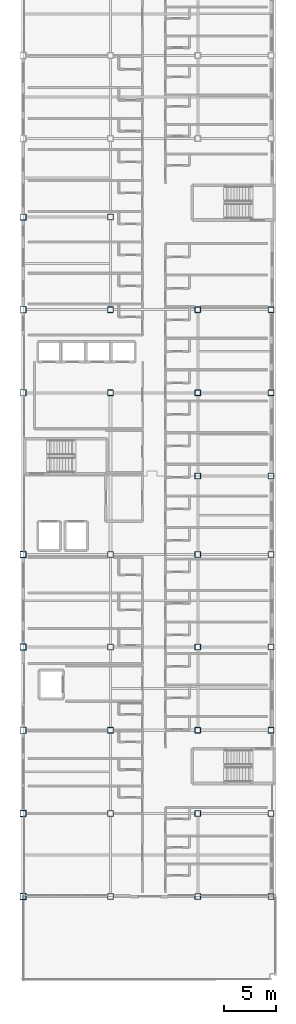
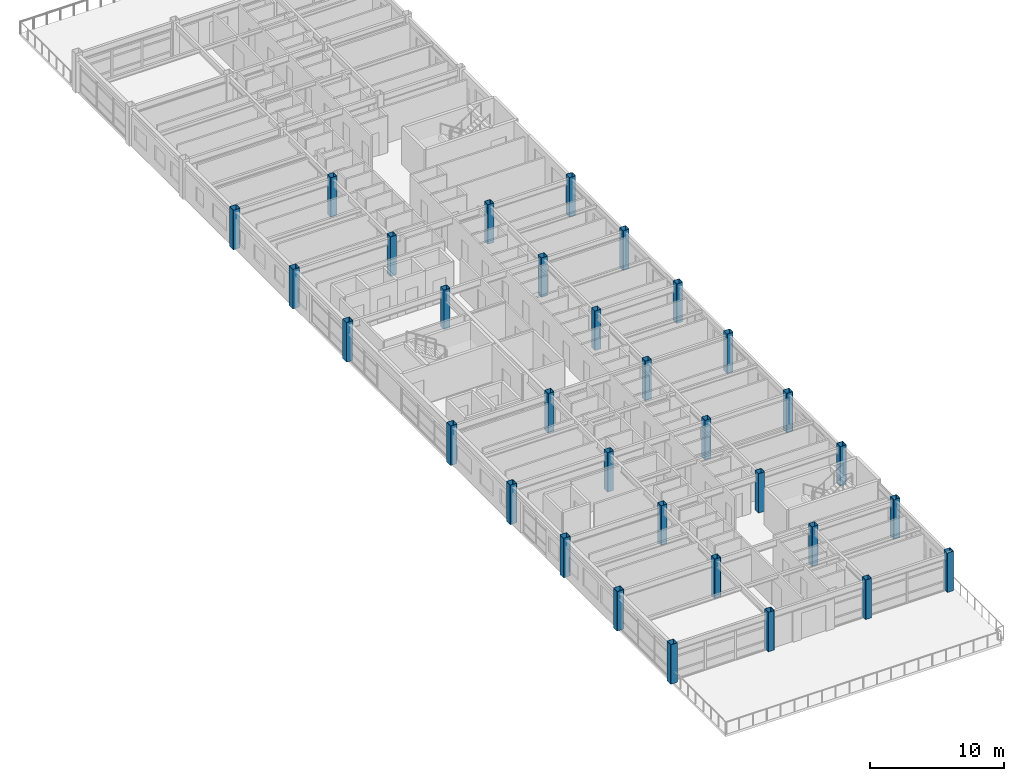
# One storey, part 1 of 36: 32 columns.
"""IFC4 building model written with IfcOpenShell, lengths in metres."""

from ifc_helpers import new_model, si_unit, direction, frame, origin, origin_2d, place, context, subcontext, project, spatial, hollow_rectangle, extrude, material, material_profile, profile_set, type_object, element, save


model = new_model("IFC4")

# Units and contexts
model_context = context("Model", 3, precision=1e-05, world=origin(), true_north=direction((0.0, 1.0)))
body_context = subcontext(model_context, "Body", "Model", "MODEL_VIEW")
ifc_project = project(units=[si_unit("LENGTHUNIT", "METRE"), si_unit("AREAUNIT", "SQUARE_METRE"), si_unit("VOLUMEUNIT", "CUBIC_METRE"), si_unit("PLANEANGLEUNIT", "RADIAN"), si_unit("MASSUNIT", "GRAM", prefix="KILO")], contexts=[model_context])

# Site, building, storey
site_placement = place(None, origin())
site = spatial("IfcSite", under=ifc_project, at=site_placement, CompositionType="ELEMENT")
building_placement = place(site_placement, origin())
building = spatial("IfcBuilding", under=site, at=building_placement, Name="Kazehara Bluff Congress Hotel", CompositionType="ELEMENT")
storey_placement = place(building_placement, frame((0.0, 0.0, 31.800048828125)))
storey = spatial("IfcBuildingStorey", under=building, at=storey_placement, Name="L07", CompositionType="ELEMENT", Elevation=31.800048828125)

# Columns
ifc_material_1 = material(Name="Steel BCR295", Category="steel")
ifc_material_profile_1 = material_profile(ifc_material_1, hollow_rectangle(XDim=0.60009765625, YDim=0.60009765625, WallThickness=0.02490234375, InnerFilletRadius=0.02490234375, OuterFilletRadius=0.050048828125, at=origin_2d()))
ifc_profile_set_1 = profile_set([ifc_material_profile_1], Name="Steel BCR295")
column_type_1 = type_object("IfcColumnType", Name="TP-C-05", PredefinedType="COLUMN", material=ifc_profile_set_1)
for number, where, z_axis, x_axis, name in (
    (1, (143.699951171875, 8.0, 0.0), (0.0, 0.0, 1.0), (1.0, 0.0, 0.0), "L07 column C-05 (143.70,8.00)"),
    (2, (143.699951171875, 16.0, 0.0), (0.0, 0.0, 1.0), (1.0, 0.0, 0.0), "L07 column C-05 (143.70,16.00)"),
    (3, (143.699951171875, 24.0, 0.0), (0.0, 0.0, 1.0), (1.0, 0.0, 0.0), "L07 column C-05 (143.70,24.00)"),
    (4, (143.699951171875, 32.0, 0.0), (0.0, 0.0, 1.0), (1.0, 0.0, 0.0), "L07 column C-05 (143.70,32.00)"),
    (5, (143.699951171875, 40.89990234375, 0.0), (0.0, 0.0, 1.0), (1.0, 0.0, 0.0), "L07 column C-05 (143.70,40.90)"),
    (6, (143.699951171875, 56.449951171875, 0.0), (0.0, 0.0, 1.0), (1.0, 0.0, 0.0), "L07 column C-05 (143.70,56.45)"),
    (7, (143.699951171875, 64.449951171875, 0.0), (0.0, 0.0, 1.0), (1.0, 0.0, 0.0), "L07 column C-05 (143.70,64.45)"),
    (8, (143.699951171875, 73.35009765625, 0.0), (0.0, 0.0, 1.0), (1.0, 0.0, 0.0), "L07 column C-05 (143.70,73.35)"),
):
    element("IfcColumn", number, at=place(storey_placement, frame(where, z_axis=z_axis, x_axis=x_axis)), inside=storey, type_object=column_type_1, Name=name, PredefinedType="COLUMN", context=body_context, shape_type="SweptSolid", body=[
        extrude(hollow_rectangle(XDim=0.60009765625, YDim=0.60009765625, WallThickness=0.02490234375, InnerFilletRadius=0.02490234375, OuterFilletRadius=0.050048828125, at=origin_2d()), origin(), (0.0, 0.0, 1.0), 3.599853515625),
    ])
ifc_material_2 = material(Name="Steel BCR295", Category="steel")
ifc_material_profile_2 = material_profile(ifc_material_2, hollow_rectangle(XDim=0.550048828125, YDim=0.550048828125, WallThickness=0.02197265625, InnerFilletRadius=0.02197265625, OuterFilletRadius=0.0439453125, at=origin_2d()))
ifc_profile_set_2 = profile_set([ifc_material_profile_2], Name="Steel BCR295")
column_type_2 = type_object("IfcColumnType", Name="TP-C-06", PredefinedType="COLUMN", material=ifc_profile_set_2)
for number, where, z_axis, x_axis, name in (
    (9, (152.10009765625, 8.0, 0.0), (0.0, 0.0, 1.0), (1.0, 0.0, 0.0), "L07 column C-06 (152.10,8.00)"),
    (10, (152.10009765625, 16.0, 0.0), (0.0, 0.0, 1.0), (1.0, 0.0, 0.0), "L07 column C-06 (152.10,16.00)"),
    (11, (152.10009765625, 24.0, 0.0), (0.0, 0.0, 1.0), (1.0, 0.0, 0.0), "L07 column C-06 (152.10,24.00)"),
    (12, (152.10009765625, 32.0, 0.0), (0.0, 0.0, 1.0), (1.0, 0.0, 0.0), "L07 column C-06 (152.10,32.00)"),
    (13, (152.10009765625, 40.89990234375, 0.0), (0.0, 0.0, 1.0), (1.0, 0.0, 0.0), "L07 column C-06 (152.10,40.90)"),
    (14, (152.10009765625, 56.449951171875, 0.0), (0.0, 0.0, 1.0), (1.0, 0.0, 0.0), "L07 column C-06 (152.10,56.45)"),
    (15, (152.10009765625, 64.449951171875, 0.0), (0.0, 0.0, 1.0), (1.0, 0.0, 0.0), "L07 column C-06 (152.10,64.45)"),
    (16, (152.10009765625, 73.35009765625, 0.0), (0.0, 0.0, 1.0), (1.0, 0.0, 0.0), "L07 column C-06 (152.10,73.35)"),
    (17, (160.5, 8.0, 0.0), (0.0, 0.0, 1.0), (1.0, 0.0, 0.0), "L07 column C-06 (160.50,8.00)"),
    (18, (160.5, 16.0, 0.0), (0.0, 0.0, 1.0), (1.0, 0.0, 0.0), "L07 column C-06 (160.50,16.00)"),
    (19, (160.5, 24.0, 0.0), (0.0, 0.0, 1.0), (1.0, 0.0, 0.0), "L07 column C-06 (160.50,24.00)"),
    (20, (160.5, 32.0, 0.0), (0.0, 0.0, 1.0), (1.0, 0.0, 0.0), "L07 column C-06 (160.50,32.00)"),
    (21, (160.5, 40.89990234375, 0.0), (0.0, 0.0, 1.0), (1.0, 0.0, 0.0), "L07 column C-06 (160.50,40.90)"),
    (22, (160.5, 48.449951171875, 0.0), (0.0, 0.0, 1.0), (1.0, 0.0, 0.0), "L07 column C-06 (160.50,48.45)"),
    (23, (160.5, 56.449951171875, 0.0), (0.0, 0.0, 1.0), (1.0, 0.0, 0.0), "L07 column C-06 (160.50,56.45)"),
    (24, (160.5, 64.449951171875, 0.0), (0.0, 0.0, 1.0), (1.0, 0.0, 0.0), "L07 column C-06 (160.50,64.45)"),
    (25, (167.550048828125, 8.0, 0.0), (0.0, 0.0, 1.0), (1.0, 0.0, 0.0), "L07 column C-06 (167.55,8.00)"),
    (26, (167.550048828125, 16.0, 0.0), (0.0, 0.0, 1.0), (1.0, 0.0, 0.0), "L07 column C-06 (167.55,16.00)"),
    (27, (167.550048828125, 24.0, 0.0), (0.0, 0.0, 1.0), (1.0, 0.0, 0.0), "L07 column C-06 (167.55,24.00)"),
    (28, (167.550048828125, 32.0, 0.0), (0.0, 0.0, 1.0), (1.0, 0.0, 0.0), "L07 column C-06 (167.55,32.00)"),
    (29, (167.550048828125, 40.89990234375, 0.0), (0.0, 0.0, 1.0), (1.0, 0.0, 0.0), "L07 column C-06 (167.55,40.90)"),
    (30, (167.550048828125, 48.449951171875, 0.0), (0.0, 0.0, 1.0), (1.0, 0.0, 0.0), "L07 column C-06 (167.55,48.45)"),
    (31, (167.550048828125, 56.449951171875, 0.0), (0.0, 0.0, 1.0), (1.0, 0.0, 0.0), "L07 column C-06 (167.55,56.45)"),
    (32, (167.550048828125, 64.449951171875, 0.0), (0.0, 0.0, 1.0), (1.0, 0.0, 0.0), "L07 column C-06 (167.55,64.45)"),
):
    element("IfcColumn", number, at=place(storey_placement, frame(where, z_axis=z_axis, x_axis=x_axis)), inside=storey, type_object=column_type_2, Name=name, PredefinedType="COLUMN", context=body_context, shape_type="SweptSolid", body=[
        extrude(hollow_rectangle(XDim=0.550048828125, YDim=0.550048828125, WallThickness=0.02197265625, InnerFilletRadius=0.02197265625, OuterFilletRadius=0.0439453125, at=origin_2d()), origin(), (0.0, 0.0, 1.0), 3.599853515625),
    ])

save(model, "model.ifc")
